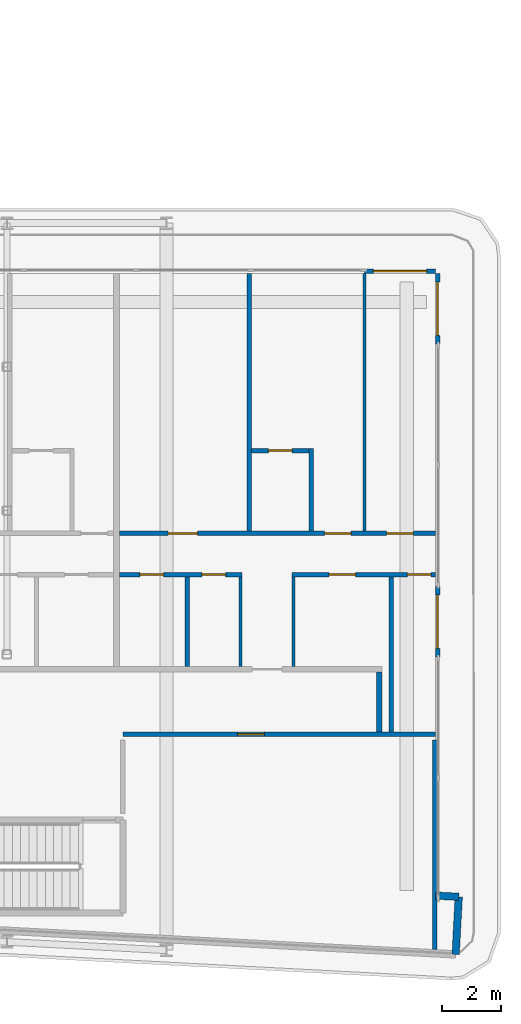
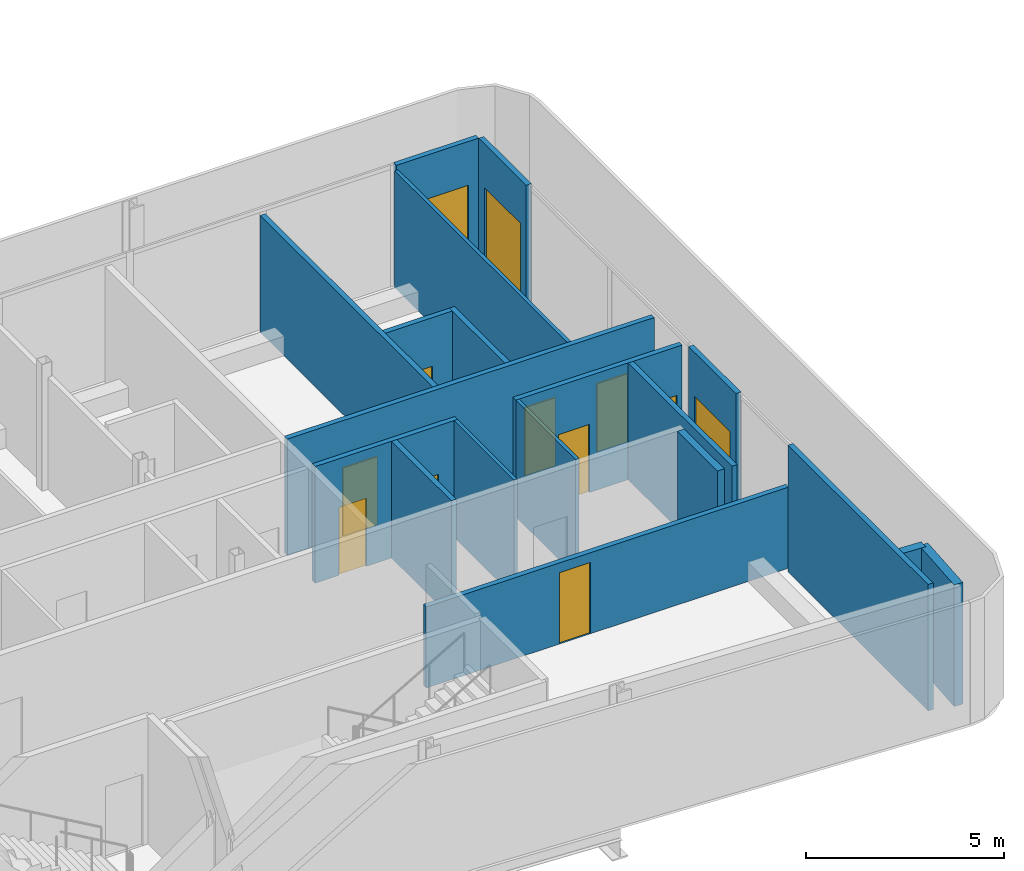
# One storey, part 21 of 30: 19 walls, 12 doors, 12 openings.
"""IFC4 building model written with IfcOpenShell, lengths in metres."""

from ifc_helpers import new_model, si_unit, direction, frame, frame_2d, origin, place, context, subcontext, project, spatial, rectangle, extrude, source, transform, mapped, material, layer, layer_set, type_object, element, fill, save


model = new_model("IFC4")

# Units and contexts
model_context = context("Model", 3, precision=1e-05, world=origin(), true_north=direction((0.0, 1.0)))
body_context = subcontext(model_context, "Body", "Model", "MODEL_VIEW")
ifc_project = project(units=[si_unit("LENGTHUNIT", "METRE"), si_unit("AREAUNIT", "SQUARE_METRE"), si_unit("VOLUMEUNIT", "CUBIC_METRE"), si_unit("PLANEANGLEUNIT", "RADIAN"), si_unit("MASSUNIT", "GRAM", prefix="KILO")], contexts=[model_context])

# Site, building, storey
site_placement = place(None, origin())
site = spatial("IfcSite", under=ifc_project, at=site_placement, CompositionType="ELEMENT")
building_placement = place(site_placement, origin())
building = spatial("IfcBuilding", under=site, at=building_placement, Name="Kheshtan School and Residences Tower", CompositionType="ELEMENT")
storey_placement = place(building_placement, frame((0.0, 0.0, 195.5)))
storey = spatial("IfcBuildingStorey", under=building, at=storey_placement, Name="L46", CompositionType="ELEMENT", Elevation=195.5)

# Walls
ifc_material_1 = material(Name="Gypsum board on steel studs with fire boards", Category="steel")
ifc_layer_1 = layer(ifc_material_1, 0.199951171875)
ifc_layer_set_1 = layer_set([ifc_layer_1], Name="Corridor wall 200")
wall_type_1 = type_object("IfcWallType", Name="Corridor wall 200", PredefinedType="PARTITIONING", material=ifc_layer_set_1)
wall_1_placement = place(storey_placement, frame((98.0, 28.3740234375, 0.0), z_axis=(0.0, 0.0, 1.0), x_axis=(0.0, 1.0, 0.0)))
element("IfcWall", 1, at=wall_1_placement, inside=storey, type_object=wall_type_1, Name="Partition L46-076", PredefinedType="PARTITIONING", context=body_context, shape_type="SweptSolid", body=[
    extrude(rectangle(XDim=2.02587890625, YDim=0.199951171875, at=frame_2d((1.012939453125, 0.0))), origin(), (0.0, 0.0, 1.0), 3.60009765625),
])
ifc_material_2 = material(Name="Concrete C40/50 with ceramic cladding and mineral wool insulation", Category="concrete")
ifc_layer_2 = layer(ifc_material_2, 0.25)
ifc_layer_set_2 = layer_set([ifc_layer_2], Name="External wall 250 ceramic clad")
wall_type_2 = type_object("IfcWallType", Name="External wall 250 ceramic clad", PredefinedType="SOLIDWALL", material=ifc_layer_set_2)
wall_2_placement = place(storey_placement, frame((99.906982421875, 22.839111328125, 0.0), z_axis=(0.0, 0.0, 1.0), x_axis=(0.998561284263, -0.053622398031, 0.0)))
element("IfcWall", 2, at=wall_2_placement, inside=storey, type_object=wall_type_2, Name="External wall L46 14", PredefinedType="SOLIDWALL", context=body_context, shape_type="SweptSolid", body=[
    extrude(rectangle(XDim=0.783203125, YDim=0.25, at=frame_2d((0.3916015625, 0.0))), origin(), (0.0, 0.0, 1.0), 3.75),
])
wall_3_placement = place(storey_placement, frame((100.68896484375, 22.797119140625, 0.0), z_axis=(0.0, 0.0, 1.0), x_axis=(-0.052841433274, -0.998602915542, 0.0)))
element("IfcWall", 3, at=wall_3_placement, inside=storey, type_object=wall_type_2, Name="External wall L46 15", PredefinedType="SOLIDWALL", context=body_context, shape_type="SweptSolid", body=[
    extrude(rectangle(XDim=1.94970703125, YDim=0.25, at=frame_2d((0.974853515625, 0.0))), origin(), (0.0, 0.0, 1.0), 3.75),
])

# Wall, opening, door
ifc_material_3 = material(Name="Aluminium frame wall with insulated infill", Category="aluminium")
ifc_layer_3 = layer(ifc_material_3, 0.14990234375)
ifc_layer_set_3 = layer_set([ifc_layer_3], Name="Glazing frame wall 150")
wall_type_3 = type_object("IfcWallType", Name="Glazing frame wall 150", PredefinedType="SOLIDWALL", material=ifc_layer_set_3)
wall_4_placement = place(storey_placement, frame((97.5, 43.97509765625, 0.0), z_axis=(0.0, 0.0, 1.0), x_axis=(1.0, 0.0, 0.0)))
wall_4 = element("IfcWall", 4, at=wall_4_placement, inside=storey, type_object=wall_type_3, Name="Balcony door wall L46 12.5", PredefinedType="SOLIDWALL", context=body_context, shape_type="SweptSolid", body=[
    extrude(rectangle(XDim=2.39990234375, YDim=0.14990234375, at=frame_2d((1.199951171875, 0.0))), origin(), (0.0, 0.0, 1.0), 3.75),
])
opening_1_placement = place(wall_4_placement, frame((0.300048828125, 0.0, 0.0)))
opening_1 = element("IfcOpeningElement", 5, at=opening_1_placement, cuts=wall_4, Name="Opening BD", PredefinedType="OPENING", context=body_context, shape_type="SweptSolid", body=[
    extrude(rectangle(XDim=1.800048828125, YDim=2.39990234375, at=frame_2d((0.89990234375, 1.199951171875))), frame((0.0, 0.0849609375, 0.0), z_axis=(0.0, -1.0, 0.0), x_axis=(1.0, 0.0, 0.0)), (0.0, 0.0, 1.0), 0.169921875),
])
ifc_material_4 = material(Name="Clear low-e glass in thermally broken aluminium frame", Category="aluminium")
door_type_1 = type_object("IfcDoorType", Name="Balcony sliding door", OperationType="SLIDING_TO_LEFT", PredefinedType="DOOR", material=ifc_material_4)
shared_shape_1 = source(origin(), body_context, "Body", "SweptSolid", [
    extrude(rectangle(XDim=1.800048828125, YDim=2.39990234375, at=frame_2d((0.89990234375, 1.199951171875))), frame((0.0, 0.02490234375, 0.0), z_axis=(0.0, -1.0, 0.0), x_axis=(1.0, 0.0, 0.0)), (0.0, 0.0, 1.0), 0.050048828125),
])
door_1_placement = place(opening_1_placement, origin())
door_1 = element("IfcDoor", 6, at=door_1_placement, inside=storey, type_object=door_type_1, Name="Balcony door L46 12.5", OperationType="SLIDING_TO_LEFT", OverallHeight=2.39990234375, OverallWidth=1.800048828125, PredefinedType="DOOR", context=body_context, shape_type="MappedRepresentation", body=[
    mapped(shared_shape_1, transform((0.0, 0.0, 0.0), x_axis=(1.0, 0.0, 0.0), y_axis=(0.0, 1.0, 0.0), z_axis=(0.0, 0.0, 1.0), scale=1.0)),
])
fill(opening_1, door_1)

wall_5_placement = place(storey_placement, frame((99.97509765625, 43.89990234375, 0.0), z_axis=(0.0, 0.0, 1.0), x_axis=(0.0, -1.0, 0.0)))
wall_5 = element("IfcWall", 7, at=wall_5_placement, inside=storey, type_object=wall_type_3, Name="Balcony door wall L46 13.1", PredefinedType="SOLIDWALL", context=body_context, shape_type="SweptSolid", body=[
    extrude(rectangle(XDim=2.39990234375, YDim=0.14990234375, at=frame_2d((1.199951171875, 0.0))), origin(), (0.0, 0.0, 1.0), 3.75),
])
opening_2_placement = place(wall_5_placement, frame((0.300048828125, 0.0, 0.0)))
opening_2 = element("IfcOpeningElement", 8, at=opening_2_placement, cuts=wall_5, Name="Opening BD", PredefinedType="OPENING", context=body_context, shape_type="SweptSolid", body=[
    extrude(rectangle(XDim=1.800048828125, YDim=2.39990234375, at=frame_2d((0.89990234375, 1.199951171875))), frame((0.0, 0.0849609375, 0.0), z_axis=(0.0, -1.0, 0.0), x_axis=(1.0, 0.0, 0.0)), (0.0, 0.0, 1.0), 0.169921875),
])
door_2_placement = place(opening_2_placement, origin())
door_2 = element("IfcDoor", 9, at=door_2_placement, inside=storey, type_object=door_type_1, Name="Balcony door L46 13.1", OperationType="SLIDING_TO_LEFT", OverallHeight=2.39990234375, OverallWidth=1.800048828125, PredefinedType="DOOR", context=body_context, shape_type="MappedRepresentation", body=[
    mapped(shared_shape_1, transform((0.0, 0.0, 0.0), x_axis=(1.0, 0.0, 0.0), y_axis=(0.0, 1.0, 0.0), z_axis=(0.0, 0.0, 1.0), scale=1.0)),
])
fill(opening_2, door_2)

wall_6_placement = place(storey_placement, frame((99.97509765625, 33.306884765625, 0.0), z_axis=(0.0, 0.0, 1.0), x_axis=(0.0, -1.0, 0.0)))
wall_6 = element("IfcWall", 10, at=wall_6_placement, inside=storey, type_object=wall_type_3, Name="Balcony door wall L46 13.2", PredefinedType="SOLIDWALL", context=body_context, shape_type="SweptSolid", body=[
    extrude(rectangle(XDim=2.39990234375, YDim=0.14990234375, at=frame_2d((1.199951171875, 0.0))), origin(), (0.0, 0.0, 1.0), 3.75),
])
opening_3_placement = place(wall_6_placement, frame((0.300048828125, 0.0, 0.0)))
opening_3 = element("IfcOpeningElement", 11, at=opening_3_placement, cuts=wall_6, Name="Opening BD", PredefinedType="OPENING", context=body_context, shape_type="SweptSolid", body=[
    extrude(rectangle(XDim=1.800048828125, YDim=2.39990234375, at=frame_2d((0.89990234375, 1.199951171875))), frame((0.0, 0.0849609375, 0.0), z_axis=(0.0, -1.0, 0.0), x_axis=(1.0, 0.0, 0.0)), (0.0, 0.0, 1.0), 0.169921875),
])
door_3_placement = place(opening_3_placement, origin())
door_3 = element("IfcDoor", 12, at=door_3_placement, inside=storey, type_object=door_type_1, Name="Balcony door L46 13.2", OperationType="SLIDING_TO_LEFT", OverallHeight=2.39990234375, OverallWidth=1.800048828125, PredefinedType="DOOR", context=body_context, shape_type="MappedRepresentation", body=[
    mapped(shared_shape_1, transform((0.0, 0.0, 0.0), x_axis=(1.0, 0.0, 0.0), y_axis=(0.0, 1.0, 0.0), z_axis=(0.0, 0.0, 1.0), scale=1.0)),
])
fill(opening_3, door_3)

# Walls
ifc_material_5 = material(Name="Gypsum board on steel studs", Category="steel")
ifc_layer_4 = layer(ifc_material_5, 0.10009765625)
ifc_layer_set_4 = layer_set([ifc_layer_4], Name="Gypsum partition 100")
wall_type_4 = type_object("IfcWallType", Name="Gypsum partition 100", PredefinedType="PARTITIONING", material=ifc_layer_set_4)
for number, where, z_axis, x_axis, name in (
    (13, (93.300048828125, 30.60009765625, 0.0), (0.0, 0.0, 1.0), (0.0, 1.0, 0.0), "Partition L46-069"),
    (14, (95.10009765625, 30.60009765625, 0.0), (0.0, 0.0, 1.0), (0.0, 1.0, 0.0), "Partition L46-073"),
):
    element("IfcWall", number, at=place(storey_placement, frame(where, z_axis=z_axis, x_axis=x_axis)), inside=storey, type_object=wall_type_4, Name=name, PredefinedType="PARTITIONING", context=body_context, shape_type="SweptSolid", body=[
        extrude(rectangle(XDim=3.02490234375, YDim=0.10009765625, at=frame_2d((1.512451171875, 0.0))), origin(), (0.0, 0.0, 1.0), 3.60009765625),
    ])
wall_7_placement = place(storey_placement, frame((97.5, 35.175048828125, 0.0), z_axis=(0.0, 0.0, 1.0), x_axis=(0.0, 1.0, 0.0)))
element("IfcWall", 15, at=wall_7_placement, inside=storey, type_object=wall_type_4, Name="Partition L46-075", PredefinedType="PARTITIONING", context=body_context, shape_type="SweptSolid", body=[
    extrude(rectangle(XDim=8.724853515625, YDim=0.10009765625, at=frame_2d((4.3623046875, 0.0))), origin(), (0.0, 0.0, 1.0), 3.60009765625),
])

# Wall, opening, door
ifc_material_6 = material(Name="Fire-board shaft wall system")
ifc_layer_5 = layer(ifc_material_6, 0.14990234375)
ifc_layer_set_5 = layer_set([ifc_layer_5], Name="Service room wall 150")
wall_type_5 = type_object("IfcWallType", Name="Service room wall 150", PredefinedType="PARTITIONING", material=ifc_layer_set_5)
wall_8_placement = place(storey_placement, frame((89.320068359375, 28.300048828125, 0.0), z_axis=(0.0, 0.0, 1.0), x_axis=(1.0, 0.0, 0.0)))
wall_8 = element("IfcWall", 16, at=wall_8_placement, inside=storey, type_object=wall_type_5, Name="Service room wall", PredefinedType="PARTITIONING", context=body_context, shape_type="SweptSolid", body=[
    extrude(rectangle(XDim=10.577880859375, YDim=0.14990234375, at=frame_2d((5.2890625, 0.0))), origin(), (0.0, 0.0, 1.0), 2.5),
])
opening_4_placement = place(wall_8_placement, frame((3.889892578125, 0.0, 0.0)))
opening_4 = element("IfcOpeningElement", 17, at=opening_4_placement, cuts=wall_8, Name="Opening SR90", PredefinedType="OPENING", context=body_context, shape_type="SweptSolid", body=[
    extrude(rectangle(XDim=0.89990234375, YDim=2.199951171875, at=frame_2d((0.449951171875, 1.10009765625))), frame((0.0, 0.0849609375, 0.0), z_axis=(0.0, -1.0, 0.0), x_axis=(1.0, 0.0, 0.0)), (0.0, 0.0, 1.0), 0.169921875),
])
ifc_material_7 = material(Name="Steel door leaf, galvanised", Category="steel")
door_type_2 = type_object("IfcDoorType", Name="Service room door 900 steel 90 min", OperationType="SINGLE_SWING_LEFT", PredefinedType="DOOR", material=ifc_material_7)
shared_shape_2 = source(origin(), body_context, "Body", "SweptSolid", [
    extrude(rectangle(XDim=0.89990234375, YDim=2.199951171875, at=frame_2d((0.449951171875, 1.10009765625))), frame((0.0, 0.02490234375, 0.0), z_axis=(0.0, -1.0, 0.0), x_axis=(1.0, 0.0, 0.0)), (0.0, 0.0, 1.0), 0.050048828125),
])
door_4_placement = place(opening_4_placement, origin())
door_4 = element("IfcDoor", 18, at=door_4_placement, inside=storey, type_object=door_type_2, Name="Service room door", OperationType="SINGLE_SWING_RIGHT", OverallHeight=2.199951171875, OverallWidth=0.89990234375, PredefinedType="DOOR", context=body_context, shape_type="MappedRepresentation", body=[
    mapped(shared_shape_2, transform((0.0, 0.0, 0.0), x_axis=(1.0, 0.0, 0.0), y_axis=(0.0, 1.0, 0.0), z_axis=(0.0, 0.0, 1.0), scale=1.0)),
])
fill(opening_4, door_4)

# Wall
wall_9_placement = place(storey_placement, frame((99.8701171875, 21.014892578125, 0.0), z_axis=(0.0, 0.0, 1.0), x_axis=(0.0, 1.0, 0.0)))
element("IfcWall", 19, at=wall_9_placement, inside=storey, type_object=wall_type_5, Name="Service room wall", PredefinedType="PARTITIONING", context=body_context, shape_type="SweptSolid", body=[
    extrude(rectangle(XDim=7.090087890625, YDim=0.14990234375, at=frame_2d((3.544921875, 0.0))), origin(), (0.0, 0.0, 1.0), 3.89990234375),
])

# Wall, openings, doors
ifc_material_8 = material(Name="Moisture-resistant gypsum board on steel studs", Category="steel")
ifc_layer_6 = layer(ifc_material_8, 0.14990234375)
ifc_layer_set_6 = layer_set([ifc_layer_6], Name="Wet-room partition 150")
wall_type_6 = type_object("IfcWallType", Name="Wet-room partition 150", PredefinedType="PARTITIONING", material=ifc_layer_set_6)
wall_10_placement = place(storey_placement, frame((89.199951171875, 33.699951171875, 0.0), z_axis=(0.0, 0.0, 1.0), x_axis=(1.0, 0.0, 0.0)))
wall_10 = element("IfcWall", 20, at=wall_10_placement, inside=storey, type_object=wall_type_6, Name="Partition L46-066", PredefinedType="PARTITIONING", context=body_context, shape_type="SweptSolid", body=[
    extrude(rectangle(XDim=4.150146484375, YDim=0.14990234375, at=frame_2d((2.0751953125, 0.0))), origin(), (0.0, 0.0, 1.0), 3.60009765625),
])
opening_5_placement = place(wall_10_placement, frame((0.699951171875, 0.0, 0.0)))
opening_5 = element("IfcOpeningElement", 21, at=opening_5_placement, cuts=wall_10, Name="Opening D46-027", PredefinedType="OPENING", context=body_context, shape_type="SweptSolid", body=[
    extrude(rectangle(XDim=0.800048828125, YDim=2.10009765625, at=frame_2d((0.39990234375, 1.050048828125))), frame((0.0, 0.0849609375, 0.0), z_axis=(0.0, -1.0, 0.0), x_axis=(1.0, 0.0, 0.0)), (0.0, 0.0, 1.0), 0.169921875),
])
opening_6_placement = place(wall_10_placement, frame((2.800048828125, 0.0, 0.0)))
opening_6 = element("IfcOpeningElement", 22, at=opening_6_placement, cuts=wall_10, Name="Opening D46-034", PredefinedType="OPENING", context=body_context, shape_type="SweptSolid", body=[
    extrude(rectangle(XDim=0.800048828125, YDim=2.10009765625, at=frame_2d((0.39990234375, 1.050048828125))), frame((0.0, 0.0849609375, 0.0), z_axis=(0.0, -1.0, 0.0), x_axis=(1.0, 0.0, 0.0)), (0.0, 0.0, 1.0), 0.169921875),
])
ifc_material_9 = material(Name="Veneered timber door leaf", Category="wood")
door_type_3 = type_object("IfcDoorType", Name="Door 800 x 2100", OperationType="SINGLE_SWING_LEFT", PredefinedType="DOOR", material=ifc_material_9)
shared_shape_3 = source(origin(), body_context, "Body", "SweptSolid", [
    extrude(rectangle(XDim=0.800048828125, YDim=2.10009765625, at=frame_2d((0.39990234375, 1.050048828125))), frame((0.0, 0.02490234375, 0.0), z_axis=(0.0, -1.0, 0.0), x_axis=(1.0, 0.0, 0.0)), (0.0, 0.0, 1.0), 0.050048828125),
])
door_5_placement = place(opening_5_placement, origin())
door_5 = element("IfcDoor", 23, at=door_5_placement, inside=storey, type_object=door_type_3, Name="Door D46-027", OperationType="SINGLE_SWING_RIGHT", OverallHeight=2.10009765625, OverallWidth=0.800048828125, PredefinedType="DOOR", context=body_context, shape_type="MappedRepresentation", body=[
    mapped(shared_shape_3, transform((0.0, 0.0, 0.0), x_axis=(1.0, 0.0, 0.0), y_axis=(0.0, 1.0, 0.0), z_axis=(0.0, 0.0, 1.0), scale=1.0)),
])
fill(opening_5, door_5)
door_6_placement = place(opening_6_placement, origin())
door_6 = element("IfcDoor", 24, at=door_6_placement, inside=storey, type_object=door_type_3, Name="Door D46-034", OperationType="SINGLE_SWING_LEFT", OverallHeight=2.10009765625, OverallWidth=0.800048828125, PredefinedType="DOOR", context=body_context, shape_type="MappedRepresentation", body=[
    mapped(shared_shape_3, transform((0.0, 0.0, 0.0), x_axis=(1.0, 0.0, 0.0), y_axis=(0.0, 1.0, 0.0), z_axis=(0.0, 0.0, 1.0), scale=1.0)),
])
fill(opening_6, door_6)

wall_11_placement = place(storey_placement, frame((89.199951171875, 35.10009765625, 0.0), z_axis=(0.0, 0.0, 1.0), x_axis=(1.0, 0.0, 0.0)))
wall_11 = element("IfcWall", 25, at=wall_11_placement, inside=storey, type_object=wall_type_6, Name="Partition L46-067", PredefinedType="PARTITIONING", context=body_context, shape_type="SweptSolid", body=[
    extrude(rectangle(XDim=10.699951171875, YDim=0.14990234375, at=frame_2d((5.35009765625, 0.0))), origin(), (0.0, 0.0, 1.0), 3.60009765625),
])
opening_7_placement = place(wall_11_placement, frame((9.050048828125, 0.0, 0.0)))
opening_7 = element("IfcOpeningElement", 26, at=opening_7_placement, cuts=wall_11, Name="Opening D46-028", PredefinedType="OPENING", context=body_context, shape_type="SweptSolid", body=[
    extrude(rectangle(XDim=0.89990234375, YDim=2.10009765625, at=frame_2d((0.449951171875, 1.050048828125))), frame((0.0, 0.0849609375, 0.0), z_axis=(0.0, -1.0, 0.0), x_axis=(1.0, 0.0, 0.0)), (0.0, 0.0, 1.0), 0.169921875),
])
opening_8_placement = place(wall_11_placement, frame((1.64990234375, 0.0, 0.0)))
opening_8 = element("IfcOpeningElement", 27, at=opening_8_placement, cuts=wall_11, Name="Opening D46-032", PredefinedType="OPENING", context=body_context, shape_type="SweptSolid", body=[
    extrude(rectangle(XDim=1.0, YDim=2.10009765625, at=frame_2d((0.5, 1.050048828125))), frame((0.0, 0.0849609375, 0.0), z_axis=(0.0, -1.0, 0.0), x_axis=(1.0, 0.0, 0.0)), (0.0, 0.0, 1.0), 0.169921875),
])
opening_9_placement = place(wall_11_placement, frame((6.949951171875, 0.0, 0.0)))
opening_9 = element("IfcOpeningElement", 28, at=opening_9_placement, cuts=wall_11, Name="Opening D46-033", PredefinedType="OPENING", context=body_context, shape_type="SweptSolid", body=[
    extrude(rectangle(XDim=0.89990234375, YDim=2.10009765625, at=frame_2d((0.449951171875, 1.050048828125))), frame((0.0, 0.0849609375, 0.0), z_axis=(0.0, -1.0, 0.0), x_axis=(1.0, 0.0, 0.0)), (0.0, 0.0, 1.0), 0.169921875),
])
door_type_4 = type_object("IfcDoorType", Name="Door 1000 x 2100", OperationType="SINGLE_SWING_LEFT", PredefinedType="DOOR", material=ifc_material_9)
shared_shape_4 = source(origin(), body_context, "Body", "SweptSolid", [
    extrude(rectangle(XDim=1.0, YDim=2.10009765625, at=frame_2d((0.5, 1.050048828125))), frame((0.0, 0.02490234375, 0.0), z_axis=(0.0, -1.0, 0.0), x_axis=(1.0, 0.0, 0.0)), (0.0, 0.0, 1.0), 0.050048828125),
])
door_7_placement = place(opening_8_placement, origin())
door_7 = element("IfcDoor", 29, at=door_7_placement, inside=storey, type_object=door_type_4, Name="Door D46-032", OperationType="SINGLE_SWING_LEFT", OverallHeight=2.10009765625, OverallWidth=1.0, PredefinedType="DOOR", context=body_context, shape_type="MappedRepresentation", body=[
    mapped(shared_shape_4, transform((0.0, 0.0, 0.0), x_axis=(1.0, 0.0, 0.0), y_axis=(0.0, 1.0, 0.0), z_axis=(0.0, 0.0, 1.0), scale=1.0)),
])
fill(opening_8, door_7)
door_type_5 = type_object("IfcDoorType", Name="Door 900 x 2100", OperationType="SINGLE_SWING_LEFT", PredefinedType="DOOR", material=ifc_material_9)
shared_shape_5 = source(origin(), body_context, "Body", "SweptSolid", [
    extrude(rectangle(XDim=0.89990234375, YDim=2.10009765625, at=frame_2d((0.449951171875, 1.050048828125))), frame((0.0, 0.02490234375, 0.0), z_axis=(0.0, -1.0, 0.0), x_axis=(1.0, 0.0, 0.0)), (0.0, 0.0, 1.0), 0.050048828125),
])
door_8_placement = place(opening_7_placement, origin())
door_8 = element("IfcDoor", 30, at=door_8_placement, inside=storey, type_object=door_type_5, Name="Door D46-028", OperationType="SINGLE_SWING_LEFT", OverallHeight=2.10009765625, OverallWidth=0.89990234375, PredefinedType="DOOR", context=body_context, shape_type="MappedRepresentation", body=[
    mapped(shared_shape_5, transform((0.0, 0.0, 0.0), x_axis=(1.0, 0.0, 0.0), y_axis=(0.0, 1.0, 0.0), z_axis=(0.0, 0.0, 1.0), scale=1.0)),
])
fill(opening_7, door_8)
door_9_placement = place(opening_9_placement, origin())
door_9 = element("IfcDoor", 31, at=door_9_placement, inside=storey, type_object=door_type_5, Name="Door D46-033", OperationType="SINGLE_SWING_LEFT", OverallHeight=2.10009765625, OverallWidth=0.89990234375, PredefinedType="DOOR", context=body_context, shape_type="MappedRepresentation", body=[
    mapped(shared_shape_5, transform((0.0, 0.0, 0.0), x_axis=(1.0, 0.0, 0.0), y_axis=(0.0, 1.0, 0.0), z_axis=(0.0, 0.0, 1.0), scale=1.0)),
])
fill(opening_9, door_9)

# Walls
wall_12_placement = place(storey_placement, frame((91.5, 30.60009765625, 0.0), z_axis=(0.0, 0.0, 1.0), x_axis=(0.0, 1.0, 0.0)))
element("IfcWall", 32, at=wall_12_placement, inside=storey, type_object=wall_type_6, Name="Partition L46-068", PredefinedType="PARTITIONING", context=body_context, shape_type="SweptSolid", body=[
    extrude(rectangle(XDim=3.02490234375, YDim=0.14990234375, at=frame_2d((1.512451171875, 0.0))), origin(), (0.0, 0.0, 1.0), 3.60009765625),
])
wall_13_placement = place(storey_placement, frame((93.60009765625, 35.175048828125, 0.0), z_axis=(0.0, 0.0, 1.0), x_axis=(0.0, 1.0, 0.0)))
element("IfcWall", 33, at=wall_13_placement, inside=storey, type_object=wall_type_6, Name="Partition L46-070", PredefinedType="PARTITIONING", context=body_context, shape_type="SweptSolid", body=[
    extrude(rectangle(XDim=8.724853515625, YDim=0.14990234375, at=frame_2d((4.3623046875, 0.0))), origin(), (0.0, 0.0, 1.0), 3.60009765625),
])

# Wall, opening, door
wall_14_placement = place(storey_placement, frame((93.675048828125, 37.89990234375, 0.0), z_axis=(0.0, 0.0, 1.0), x_axis=(1.0, 0.0, 0.0)))
wall_14 = element("IfcWall", 34, at=wall_14_placement, inside=storey, type_object=wall_type_6, Name="Partition L46-071", PredefinedType="PARTITIONING", context=body_context, shape_type="SweptSolid", body=[
    extrude(rectangle(XDim=1.949951171875, YDim=0.14990234375, at=frame_2d((0.97509765625, 0.0))), origin(), (0.0, 0.0, 1.0), 3.60009765625),
])
opening_10_placement = place(wall_14_placement, frame((0.574951171875, 0.0, 0.0)))
opening_10 = element("IfcOpeningElement", 35, at=opening_10_placement, cuts=wall_14, Name="Opening D46-029", PredefinedType="OPENING", context=body_context, shape_type="SweptSolid", body=[
    extrude(rectangle(XDim=0.800048828125, YDim=2.10009765625, at=frame_2d((0.39990234375, 1.050048828125))), frame((0.0, 0.0849609375, 0.0), z_axis=(0.0, -1.0, 0.0), x_axis=(1.0, 0.0, 0.0)), (0.0, 0.0, 1.0), 0.169921875),
])
door_10_placement = place(opening_10_placement, origin())
door_10 = element("IfcDoor", 36, at=door_10_placement, inside=storey, type_object=door_type_3, Name="Door D46-029", OperationType="SINGLE_SWING_LEFT", OverallHeight=2.10009765625, OverallWidth=0.800048828125, PredefinedType="DOOR", context=body_context, shape_type="MappedRepresentation", body=[
    mapped(shared_shape_3, transform((0.0, 0.0, 0.0), x_axis=(1.0, 0.0, 0.0), y_axis=(0.0, 1.0, 0.0), z_axis=(0.0, 0.0, 1.0), scale=1.0)),
])
fill(opening_10, door_10)

# Wall, openings, doors
wall_15_placement = place(storey_placement, frame((95.050048828125, 33.699951171875, 0.0), z_axis=(0.0, 0.0, 1.0), x_axis=(1.0, 0.0, 0.0)))
wall_15 = element("IfcWall", 37, at=wall_15_placement, inside=storey, type_object=wall_type_6, Name="Partition L46-072", PredefinedType="PARTITIONING", context=body_context, shape_type="SweptSolid", body=[
    extrude(rectangle(XDim=4.849853515625, YDim=0.14990234375, at=frame_2d((2.4248046875, 0.0))), origin(), (0.0, 0.0, 1.0), 3.60009765625),
])
opening_11_placement = place(wall_15_placement, frame((1.25, 0.0, 0.0)))
opening_11 = element("IfcOpeningElement", 38, at=opening_11_placement, cuts=wall_15, Name="Opening D46-031", PredefinedType="OPENING", context=body_context, shape_type="SweptSolid", body=[
    extrude(rectangle(XDim=0.89990234375, YDim=2.10009765625, at=frame_2d((0.449951171875, 1.050048828125))), frame((0.0, 0.0849609375, 0.0), z_axis=(0.0, -1.0, 0.0), x_axis=(1.0, 0.0, 0.0)), (0.0, 0.0, 1.0), 0.169921875),
])
opening_12_placement = place(wall_15_placement, frame((3.89990234375, 0.0, 0.0)))
opening_12 = element("IfcOpeningElement", 39, at=opening_12_placement, cuts=wall_15, Name="Opening D46-035", PredefinedType="OPENING", context=body_context, shape_type="SweptSolid", body=[
    extrude(rectangle(XDim=0.800048828125, YDim=2.10009765625, at=frame_2d((0.39990234375, 1.050048828125))), frame((0.0, 0.0849609375, 0.0), z_axis=(0.0, -1.0, 0.0), x_axis=(1.0, 0.0, 0.0)), (0.0, 0.0, 1.0), 0.169921875),
])
door_11_placement = place(opening_12_placement, origin())
door_11 = element("IfcDoor", 40, at=door_11_placement, inside=storey, type_object=door_type_3, Name="Door D46-035", OperationType="SINGLE_SWING_RIGHT", OverallHeight=2.10009765625, OverallWidth=0.800048828125, PredefinedType="DOOR", context=body_context, shape_type="MappedRepresentation", body=[
    mapped(shared_shape_3, transform((0.0, 0.0, 0.0), x_axis=(1.0, 0.0, 0.0), y_axis=(0.0, 1.0, 0.0), z_axis=(0.0, 0.0, 1.0), scale=1.0)),
])
fill(opening_12, door_11)
door_12_placement = place(opening_11_placement, origin())
door_12 = element("IfcDoor", 41, at=door_12_placement, inside=storey, type_object=door_type_5, Name="Door D46-031", OperationType="SINGLE_SWING_LEFT", OverallHeight=2.10009765625, OverallWidth=0.89990234375, PredefinedType="DOOR", context=body_context, shape_type="MappedRepresentation", body=[
    mapped(shared_shape_5, transform((0.0, 0.0, 0.0), x_axis=(1.0, 0.0, 0.0), y_axis=(0.0, 1.0, 0.0), z_axis=(0.0, 0.0, 1.0), scale=1.0)),
])
fill(opening_11, door_12)

# Walls
wall_16_placement = place(storey_placement, frame((95.699951171875, 35.175048828125, 0.0), z_axis=(0.0, 0.0, 1.0), x_axis=(0.0, 1.0, 0.0)))
element("IfcWall", 42, at=wall_16_placement, inside=storey, type_object=wall_type_6, Name="Partition L46-074", PredefinedType="PARTITIONING", context=body_context, shape_type="SweptSolid", body=[
    extrude(rectangle(XDim=2.800048828125, YDim=0.14990234375, at=frame_2d((1.39990234375, 0.0))), origin(), (0.0, 0.0, 1.0), 3.60009765625),
])
wall_17_placement = place(storey_placement, frame((98.39990234375, 28.3740234375, 0.0), z_axis=(0.0, 0.0, 1.0), x_axis=(0.0, 1.0, 0.0)))
element("IfcWall", 43, at=wall_17_placement, inside=storey, type_object=wall_type_6, Name="Partition L46-077", PredefinedType="PARTITIONING", context=body_context, shape_type="SweptSolid", body=[
    extrude(rectangle(XDim=5.2509765625, YDim=0.14990234375, at=frame_2d((2.62548828125, 0.0))), origin(), (0.0, 0.0, 1.0), 3.60009765625),
])

save(model, "model.ifc")
